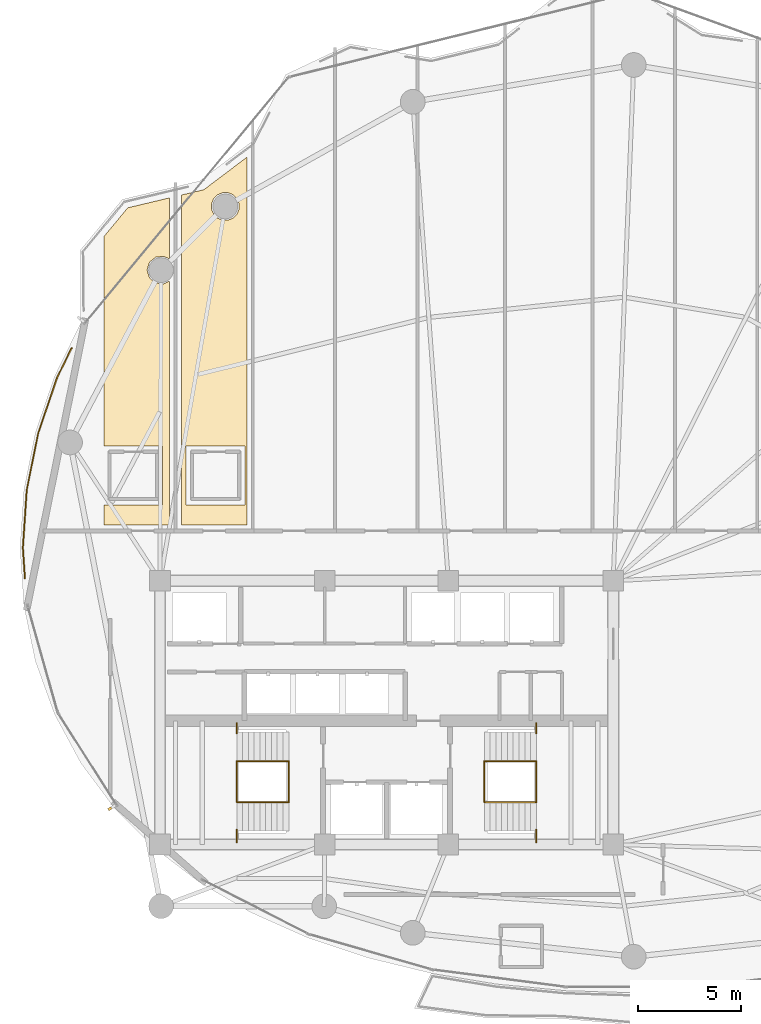
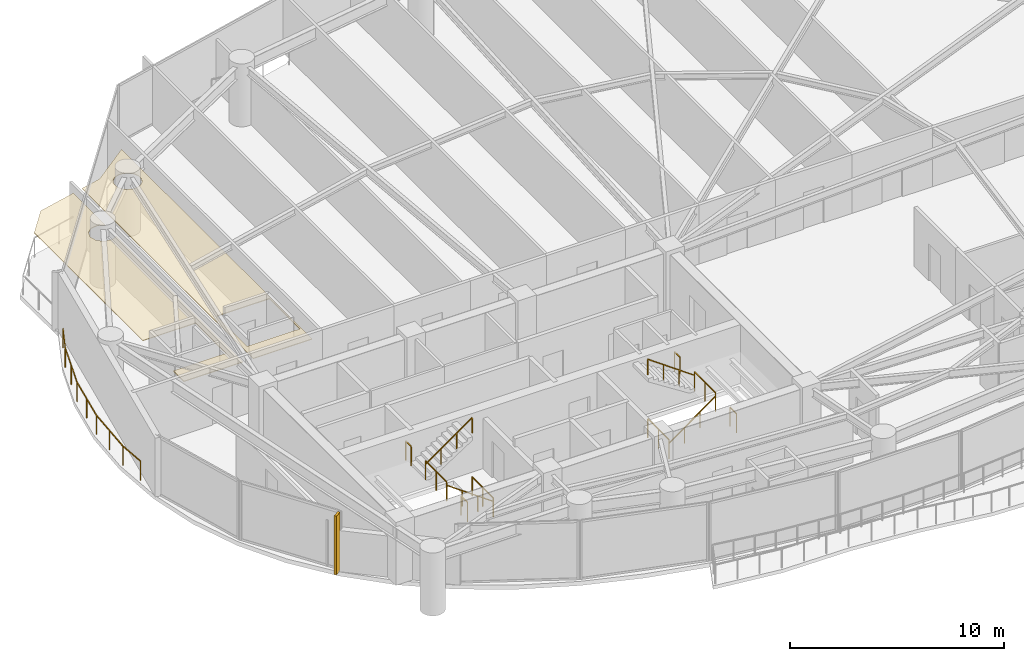
# One storey, part 26 of 28: 13 railings, 2 coverings, 1 shading device.
"""IFC4 building model written with IfcOpenShell, lengths in metres."""

from ifc_helpers import new_model, si_unit, direction, frame, origin, origin_2d, place, context, subcontext, project, spatial, polyline, rectangle, outline, extrude, material, layer, layer_set, type_object, element, save


model = new_model("IFC4")

# Units and contexts
model_context = context("Model", 3, precision=1e-05, world=origin(), true_north=direction((0.0, 1.0)))
body_context = subcontext(model_context, "Body", "Model", "MODEL_VIEW")
ifc_project = project(units=[si_unit("LENGTHUNIT", "METRE"), si_unit("AREAUNIT", "SQUARE_METRE"), si_unit("VOLUMEUNIT", "CUBIC_METRE"), si_unit("PLANEANGLEUNIT", "RADIAN"), si_unit("MASSUNIT", "GRAM", prefix="KILO")], contexts=[model_context])

# Site, building, storey
site_placement = place(None, origin())
site = spatial("IfcSite", under=ifc_project, at=site_placement, CompositionType="ELEMENT")
building_placement = place(site_placement, origin())
building = spatial("IfcBuilding", under=site, at=building_placement, Name="Kazevale Care Tower and Concert Hall", CompositionType="ELEMENT")
storey_placement = place(building_placement, frame((0.0, 0.0, 142.199951171875)))
storey = spatial("IfcBuildingStorey", under=building, at=storey_placement, Name="L37", CompositionType="ELEMENT", Elevation=142.199951171875)

# Coverings
ifc_material_1 = material(Name="Acoustic Plaster and Hinoki Wood", Category="wood")
ifc_layer = layer(ifc_material_1, 0.0400390625)
ifc_layer_set = layer_set([ifc_layer], Name="Acoustic Plaster and Hinoki Wood")
covering_type = type_object("IfcCoveringType", Name="Acoustic Perforated Wood-Gypsum Ceiling", PredefinedType="CEILING", material=ifc_layer_set)
covering_1_placement = place(storey_placement, frame((0.0, 0.0, 2.7099609375)))
element("IfcCovering", 1, at=covering_1_placement, inside=storey, type_object=covering_type, Name="clg:L37:1", PredefinedType="CEILING", context=body_context, shape_type="SweptSolid", body=[
    extrude(outline(polyline([(22.1298828125, 40.094970703125), (22.1298828125, 42.955078125), (19.280029296875, 42.955078125), (19.280029296875, 53.1259765625), (20.43310546875, 54.51611328125), (22.469970703125, 55.0), (22.469970703125, 52.02099609375), (22.18310546875, 52.156982421875), (21.7900390625, 52.117919921875), (21.485107421875, 51.867919921875), (21.3701171875, 51.489990234375), (21.485107421875, 51.112060546875), (21.7900390625, 50.862060546875), (22.18310546875, 50.822998046875), (22.469970703125, 50.958984375), (22.469970703125, 39.10498046875), (19.280029296875, 39.10498046875), (19.280029296875, 40.094970703125), (22.1298828125, 40.094970703125)])), origin(), (0.0, 0.0, 1.0), 0.0400390625),
])
covering_2_placement = place(storey_placement, frame((0.0, 0.0, 2.7099609375)))
element("IfcCovering", 2, at=covering_2_placement, inside=storey, type_object=covering_type, Name="clg:L37:2", PredefinedType="CEILING", context=body_context, shape_type="SweptSolid", body=[
    extrude(outline(polyline([(23.030029296875, 55.133056640625), (24.1279296875, 55.39404296875), (26.219970703125, 56.97412109375), (26.219970703125, 39.10498046875), (23.030029296875, 39.10498046875), (23.030029296875, 55.133056640625)]), holes=[polyline([(23.27001953125, 42.955078125), (23.27001953125, 40.094970703125), (26.1298828125, 40.094970703125), (26.1298828125, 42.955078125), (23.27001953125, 42.955078125)]), polyline([(25.8369140625, 54.712890625), (25.735107421875, 54.9580078125), (25.548095703125, 55.14501953125), (25.302978515625, 55.2470703125), (25.037109375, 55.2470703125), (24.7919921875, 55.14501953125), (24.60498046875, 54.9580078125), (24.5029296875, 54.712890625), (24.5029296875, 54.447021484375), (24.60498046875, 54.201904296875), (24.7919921875, 54.014892578125), (25.037109375, 53.9130859375), (25.302978515625, 53.9130859375), (25.548095703125, 54.014892578125), (25.735107421875, 54.201904296875), (25.8369140625, 54.447021484375), (25.8369140625, 54.712890625)])]), origin(), (0.0, 0.0, 1.0), 0.0400390625),
])

# Railings
ifc_material_2 = material(Name="Anodised Bronze Aluminium and Laminated Glass", Category="aluminium")
railing_type_1 = type_object("IfcRailingType", Name="Balcony and Terrace Balustrade 1120", PredefinedType="BALUSTRADE", material=ifc_material_2)
railing_1_placement = place(storey_placement, frame((15.43994140625, 36.514892578125, 0.0)))
element("IfcRailing", 3, at=railing_1_placement, inside=storey, type_object=railing_type_1, Name="rail:L37:perim:1", PredefinedType="BALUSTRADE", context=body_context, shape_type="SweptSolid", body=[
    extrude(rectangle(XDim=0.048095703125, YDim=0.048095703125, at=origin_2d()), frame((0.0, 0.0, 1.09619140625), z_axis=(-0.067085094259, 0.99774725764, 0.0), x_axis=(-0.99774725764, -0.067085094259, 0.0)), (0.0, 0.0, 1.0), 1.488525390625),
    extrude(rectangle(XDim=0.048095703125, YDim=0.048095703125, at=origin_2d()), frame((-0.099853515625, 1.485107421875, 1.09619140625), z_axis=(0.066138294973, 0.997810465939, 0.0), x_axis=(-0.997810465939, 0.066138294973, 0.0)), (0.0, 0.0, 1.0), 2.80908203125),
    extrude(rectangle(XDim=0.048095703125, YDim=0.048095703125, at=origin_2d()), frame((0.0859375, 4.2880859375, 1.09619140625), z_axis=(0.197313197068, 0.980340503225, 0.0), x_axis=(-0.980340503225, 0.197313197068, 0.0)), (0.0, 0.0, 1.0), 2.823486328125),
    extrude(rectangle(XDim=0.048095703125, YDim=0.048095703125, at=origin_2d()), frame((0.64306640625, 7.05615234375, 1.09619140625), z_axis=(0.322414050189, 0.946598742996, 0.0), x_axis=(-0.946598742996, 0.322414050189, 0.0)), (0.0, 0.0, 1.0), 2.85009765625),
    extrude(rectangle(XDim=0.048095703125, YDim=0.048095703125, at=origin_2d()), frame((1.56201171875, 9.754150390625, 1.09619140625), z_axis=(0.44003868985, 0.89797881458, 0.0), x_axis=(-0.89797881458, 0.44003868985, 0.0)), (0.0, 0.0, 1.0), 1.595703125),
    extrude(rectangle(XDim=0.0419921875, YDim=0.0419921875, at=origin_2d()), origin(), (0.0, 0.0, 1.0), 1.072021484375),
    extrude(rectangle(XDim=0.0419921875, YDim=0.0419921875, at=origin_2d()), frame((-0.099853515625, 1.485107421875, 0.0)), (0.0, 0.0, 1.0), 1.072021484375),
    extrude(rectangle(XDim=0.0419921875, YDim=0.0419921875, at=origin_2d()), frame((-0.0068359375, 2.88671875, 0.0)), (0.0, 0.0, 1.0), 1.072021484375),
    extrude(rectangle(XDim=0.0419921875, YDim=0.0419921875, at=origin_2d()), frame((0.0859375, 4.2880859375, 0.0)), (0.0, 0.0, 1.0), 1.072021484375),
    extrude(rectangle(XDim=0.0419921875, YDim=0.0419921875, at=origin_2d()), frame((0.364501953125, 5.672119140625, 0.0)), (0.0, 0.0, 1.0), 1.072021484375),
    extrude(rectangle(XDim=0.0419921875, YDim=0.0419921875, at=origin_2d()), frame((0.64306640625, 7.05615234375, 0.0)), (0.0, 0.0, 1.0), 1.072021484375),
    extrude(rectangle(XDim=0.0419921875, YDim=0.0419921875, at=origin_2d()), frame((1.1025390625, 8.4052734375, 0.0)), (0.0, 0.0, 1.0), 1.072021484375),
    extrude(rectangle(XDim=0.0419921875, YDim=0.0419921875, at=origin_2d()), frame((1.56201171875, 9.754150390625, 0.0)), (0.0, 0.0, 1.0), 1.072021484375),
    extrude(rectangle(XDim=0.0419921875, YDim=0.0419921875, at=origin_2d()), frame((2.26416015625, 11.18701171875, 0.0)), (0.0, 0.0, 1.0), 1.072021484375),
])
ifc_material_3 = material(Name="Stainless Steel 316", Category="steel")
railing_type_2 = type_object("IfcRailingType", Name="Stair Pitch Handrail 920", PredefinedType="HANDRAIL", material=ifc_material_3)
railing_2_placement = place(storey_placement, frame((28.25, 25.659912109375, 0.0)))
element("IfcRailing", 4, at=railing_2_placement, inside=storey, type_object=railing_type_2, Name="stair:L37:ST1:hr1", PredefinedType="HANDRAIL", context=body_context, shape_type="SweptSolid", body=[
    extrude(rectangle(XDim=0.048095703125, YDim=0.048095703125, at=origin_2d()), frame((0.0, 0.0, 0.89599609375), z_axis=(-0.813728144527, 0.0, 0.581245650998), x_axis=(0.0, -1.0, 0.0)), (0.0, 0.0, 1.0), 3.096923828125),
    extrude(rectangle(XDim=0.0419921875, YDim=0.0419921875, at=origin_2d()), origin(), (0.0, 0.0, 1.0), 0.871826171875),
    extrude(rectangle(XDim=0.0419921875, YDim=0.0419921875, at=origin_2d()), frame((-0.840087890625, 0.0, 0.60009765625)), (0.0, 0.0, 1.0), 0.871826171875),
    extrude(rectangle(XDim=0.0419921875, YDim=0.0419921875, at=origin_2d()), frame((-1.679931640625, 0.0, 1.199951171875)), (0.0, 0.0, 1.0), 0.871826171875),
    extrude(rectangle(XDim=0.0419921875, YDim=0.0419921875, at=origin_2d()), frame((-2.52001953125, 0.0, 1.800048828125)), (0.0, 0.0, 1.0), 0.871826171875),
])
for number, where, name in (
    (5, (25.72998046875, 27.639892578125, 1.800048828125), "stair:L37:ST1:hr2"),
    (6, (37.75, 25.659912109375, 0.0), "stair:L37:ST2:hr1"),
):
    element("IfcRailing", number, at=place(storey_placement, frame(where)), inside=storey, type_object=railing_type_2, Name=name, PredefinedType="HANDRAIL", context=body_context, shape_type="SweptSolid", body=[
        extrude(rectangle(XDim=0.048095703125, YDim=0.048095703125, at=origin_2d()), frame((0.0, 0.0, 0.89599609375), z_axis=(0.813728144527, 0.0, 0.581245650998), x_axis=(0.0, 1.0, 0.0)), (0.0, 0.0, 1.0), 3.096923828125),
        extrude(rectangle(XDim=0.0419921875, YDim=0.0419921875, at=origin_2d()), origin(), (0.0, 0.0, 1.0), 0.871826171875),
        extrude(rectangle(XDim=0.0419921875, YDim=0.0419921875, at=origin_2d()), frame((0.840087890625, 0.0, 0.60009765625)), (0.0, 0.0, 1.0), 0.871826171875),
        extrude(rectangle(XDim=0.0419921875, YDim=0.0419921875, at=origin_2d()), frame((1.679931640625, 0.0, 1.199951171875)), (0.0, 0.0, 1.0), 0.871826171875),
        extrude(rectangle(XDim=0.0419921875, YDim=0.0419921875, at=origin_2d()), frame((2.52001953125, 0.0, 1.800048828125)), (0.0, 0.0, 1.0), 0.871826171875),
    ])
railing_3_placement = place(storey_placement, frame((40.27001953125, 27.639892578125, 1.800048828125)))
element("IfcRailing", 7, at=railing_3_placement, inside=storey, type_object=railing_type_2, Name="stair:L37:ST2:hr2", PredefinedType="HANDRAIL", context=body_context, shape_type="SweptSolid", body=[
    extrude(rectangle(XDim=0.048095703125, YDim=0.048095703125, at=origin_2d()), frame((0.0, 0.0, 0.89599609375), z_axis=(-0.813728144527, 0.0, 0.581245650998), x_axis=(0.0, -1.0, 0.0)), (0.0, 0.0, 1.0), 3.096923828125),
    extrude(rectangle(XDim=0.0419921875, YDim=0.0419921875, at=origin_2d()), origin(), (0.0, 0.0, 1.0), 0.871826171875),
    extrude(rectangle(XDim=0.0419921875, YDim=0.0419921875, at=origin_2d()), frame((-0.840087890625, 0.0, 0.60009765625)), (0.0, 0.0, 1.0), 0.871826171875),
    extrude(rectangle(XDim=0.0419921875, YDim=0.0419921875, at=origin_2d()), frame((-1.679931640625, 0.0, 1.199951171875)), (0.0, 0.0, 1.0), 0.871826171875),
    extrude(rectangle(XDim=0.0419921875, YDim=0.0419921875, at=origin_2d()), frame((-2.52001953125, 0.0, 1.800048828125)), (0.0, 0.0, 1.0), 0.871826171875),
])
railing_type_3 = type_object("IfcRailingType", Name="Stair Well Guard Balustrade 1120", PredefinedType="BALUSTRADE", material=ifc_material_3)
railing_4_placement = place(storey_placement, frame((25.72998046875, 23.699951171875, 1.800048828125)))
element("IfcRailing", 8, at=railing_4_placement, inside=storey, type_object=railing_type_3, Name="stair:L37:ST1:grd_side1", PredefinedType="BALUSTRADE", context=body_context, shape_type="SweptSolid", body=[
    extrude(rectangle(XDim=0.048095703125, YDim=0.048095703125, at=origin_2d()), frame((0.0, 0.0, 1.09619140625), z_axis=(0.0, 1.0, 0.0), x_axis=(-1.0, 0.0, 0.0)), (0.0, 0.0, 1.0), 0.610107421875),
    extrude(rectangle(XDim=0.0419921875, YDim=0.0419921875, at=origin_2d()), origin(), (0.0, 0.0, 1.0), 1.072021484375),
    extrude(rectangle(XDim=0.0419921875, YDim=0.0419921875, at=origin_2d()), frame((0.0, 0.610107421875, 0.0)), (0.0, 0.0, 1.0), 1.072021484375),
])
railing_5_placement = place(storey_placement, frame((25.72998046875, 28.989990234375, 1.800048828125)))
element("IfcRailing", 9, at=railing_5_placement, inside=storey, type_object=railing_type_3, Name="stair:L37:ST1:grd_side2", PredefinedType="BALUSTRADE", context=body_context, shape_type="SweptSolid", body=[
    extrude(rectangle(XDim=0.048095703125, YDim=0.048095703125, at=origin_2d()), frame((0.0, 0.0, 1.09619140625), z_axis=(0.0, 1.0, 0.0), x_axis=(-1.0, 0.0, 0.0)), (0.0, 0.0, 1.0), 0.510009765625),
    extrude(rectangle(XDim=0.0419921875, YDim=0.0419921875, at=origin_2d()), origin(), (0.0, 0.0, 1.0), 1.072021484375),
    extrude(rectangle(XDim=0.0419921875, YDim=0.0419921875, at=origin_2d()), frame((0.0, 0.510009765625, 0.0)), (0.0, 0.0, 1.0), 1.072021484375),
])
for number, where, name in (
    (10, (25.72998046875, 25.659912109375, 1.800048828125), "stair:L37:ST1:grd_mid"),
    (11, (28.25, 25.659912109375, 0.0), "stair:L37:ST1:grd_flr"),
):
    element("IfcRailing", number, at=place(storey_placement, frame(where)), inside=storey, type_object=railing_type_3, Name=name, PredefinedType="BALUSTRADE", context=body_context, shape_type="SweptSolid", body=[
        extrude(rectangle(XDim=0.048095703125, YDim=0.048095703125, at=origin_2d()), frame((0.0, 0.0, 1.09619140625), z_axis=(0.0, 1.0, 0.0), x_axis=(-1.0, 0.0, 0.0)), (0.0, 0.0, 1.0), 1.97998046875),
        extrude(rectangle(XDim=0.0419921875, YDim=0.0419921875, at=origin_2d()), origin(), (0.0, 0.0, 1.0), 1.072021484375),
        extrude(rectangle(XDim=0.0419921875, YDim=0.0419921875, at=origin_2d()), frame((0.0, 0.989990234375, 0.0)), (0.0, 0.0, 1.0), 1.072021484375),
        extrude(rectangle(XDim=0.0419921875, YDim=0.0419921875, at=origin_2d()), frame((0.0, 1.97998046875, 0.0)), (0.0, 0.0, 1.0), 1.072021484375),
    ])
railing_6_placement = place(storey_placement, frame((40.27001953125, 23.699951171875, 1.800048828125)))
element("IfcRailing", 12, at=railing_6_placement, inside=storey, type_object=railing_type_3, Name="stair:L37:ST2:grd_side1", PredefinedType="BALUSTRADE", context=body_context, shape_type="SweptSolid", body=[
    extrude(rectangle(XDim=0.048095703125, YDim=0.048095703125, at=origin_2d()), frame((0.0, 0.0, 1.09619140625), z_axis=(0.0, 1.0, 0.0), x_axis=(-1.0, 0.0, 0.0)), (0.0, 0.0, 1.0), 0.610107421875),
    extrude(rectangle(XDim=0.0419921875, YDim=0.0419921875, at=origin_2d()), origin(), (0.0, 0.0, 1.0), 1.072021484375),
    extrude(rectangle(XDim=0.0419921875, YDim=0.0419921875, at=origin_2d()), frame((0.0, 0.610107421875, 0.0)), (0.0, 0.0, 1.0), 1.072021484375),
])
railing_7_placement = place(storey_placement, frame((40.27001953125, 28.989990234375, 1.800048828125)))
element("IfcRailing", 13, at=railing_7_placement, inside=storey, type_object=railing_type_3, Name="stair:L37:ST2:grd_side2", PredefinedType="BALUSTRADE", context=body_context, shape_type="SweptSolid", body=[
    extrude(rectangle(XDim=0.048095703125, YDim=0.048095703125, at=origin_2d()), frame((0.0, 0.0, 1.09619140625), z_axis=(0.0, 1.0, 0.0), x_axis=(-1.0, 0.0, 0.0)), (0.0, 0.0, 1.0), 0.510009765625),
    extrude(rectangle(XDim=0.0419921875, YDim=0.0419921875, at=origin_2d()), origin(), (0.0, 0.0, 1.0), 1.072021484375),
    extrude(rectangle(XDim=0.0419921875, YDim=0.0419921875, at=origin_2d()), frame((0.0, 0.510009765625, 0.0)), (0.0, 0.0, 1.0), 1.072021484375),
])
for number, where, name in (
    (14, (40.27001953125, 25.659912109375, 1.800048828125), "stair:L37:ST2:grd_mid"),
    (15, (37.75, 25.659912109375, 0.0), "stair:L37:ST2:grd_flr"),
):
    element("IfcRailing", number, at=place(storey_placement, frame(where)), inside=storey, type_object=railing_type_3, Name=name, PredefinedType="BALUSTRADE", context=body_context, shape_type="SweptSolid", body=[
        extrude(rectangle(XDim=0.048095703125, YDim=0.048095703125, at=origin_2d()), frame((0.0, 0.0, 1.09619140625), z_axis=(0.0, 1.0, 0.0), x_axis=(-1.0, 0.0, 0.0)), (0.0, 0.0, 1.0), 1.97998046875),
        extrude(rectangle(XDim=0.0419921875, YDim=0.0419921875, at=origin_2d()), origin(), (0.0, 0.0, 1.0), 1.072021484375),
        extrude(rectangle(XDim=0.0419921875, YDim=0.0419921875, at=origin_2d()), frame((0.0, 0.989990234375, 0.0)), (0.0, 0.0, 1.0), 1.072021484375),
        extrude(rectangle(XDim=0.0419921875, YDim=0.0419921875, at=origin_2d()), frame((0.0, 1.97998046875, 0.0)), (0.0, 0.0, 1.0), 1.072021484375),
    ])

# Shading device
ifc_material_4 = material(Name="Honed Ochre Limestone", Category="masonry")
shading_device_type = type_object("IfcShadingDeviceType", Name="Vertical Honed Limestone Fin FIN-01", PredefinedType="USERDEFINED", material=ifc_material_4)
shading_device_placement = place(storey_placement, frame((19.649658203125, 25.387451171875, 0.0), z_axis=(0.0, 0.0, 1.0), x_axis=(-0.843391445813, -0.537299608347, 0.0)))
element("IfcShadingDevice", 16, at=shading_device_placement, inside=storey, type_object=shading_device_type, Name="cw:L37:f11:fin", ObjectType="FIN", PredefinedType="USERDEFINED", context=body_context, shape_type="SweptSolid", body=[
    extrude(rectangle(XDim=0.3798828125, YDim=0.1201171875, at=origin_2d()), origin(), (0.0, 0.0, 1.0), 3.360107421875),
])

save(model, "model.ifc")
